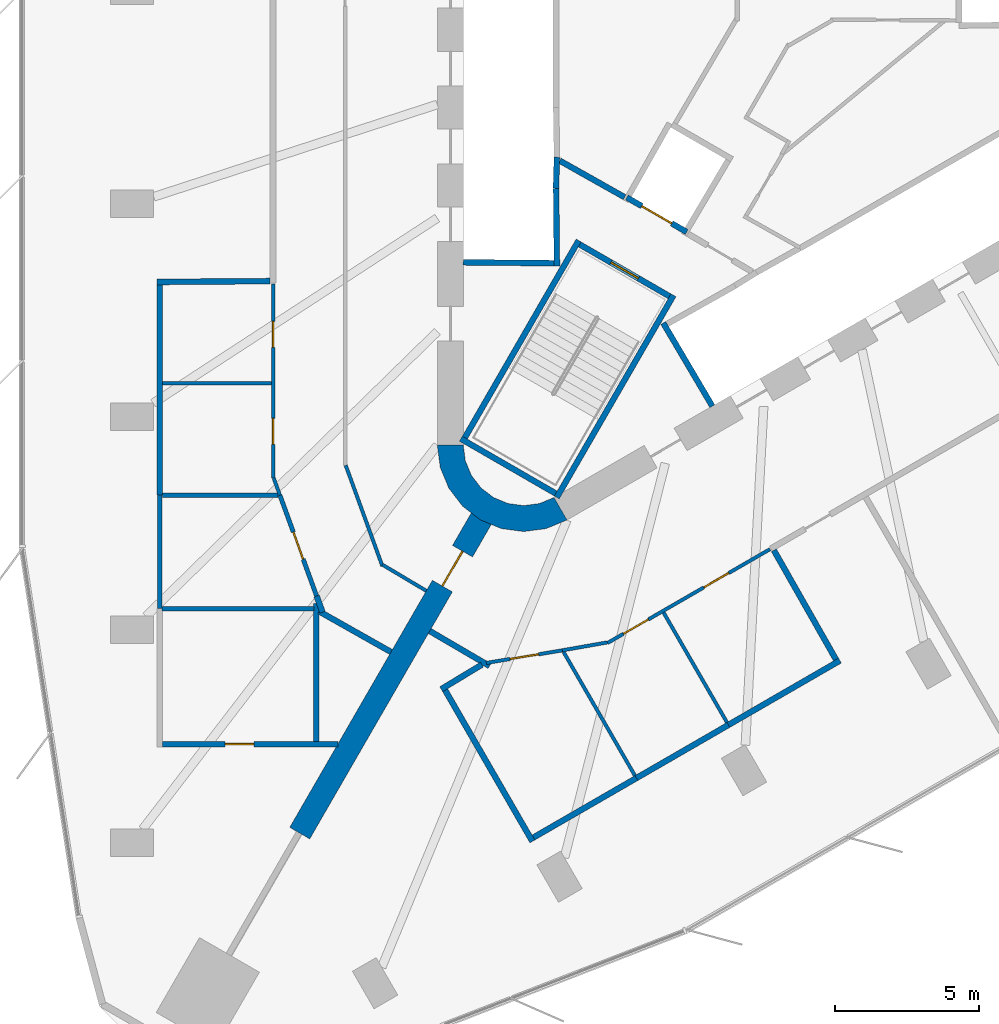
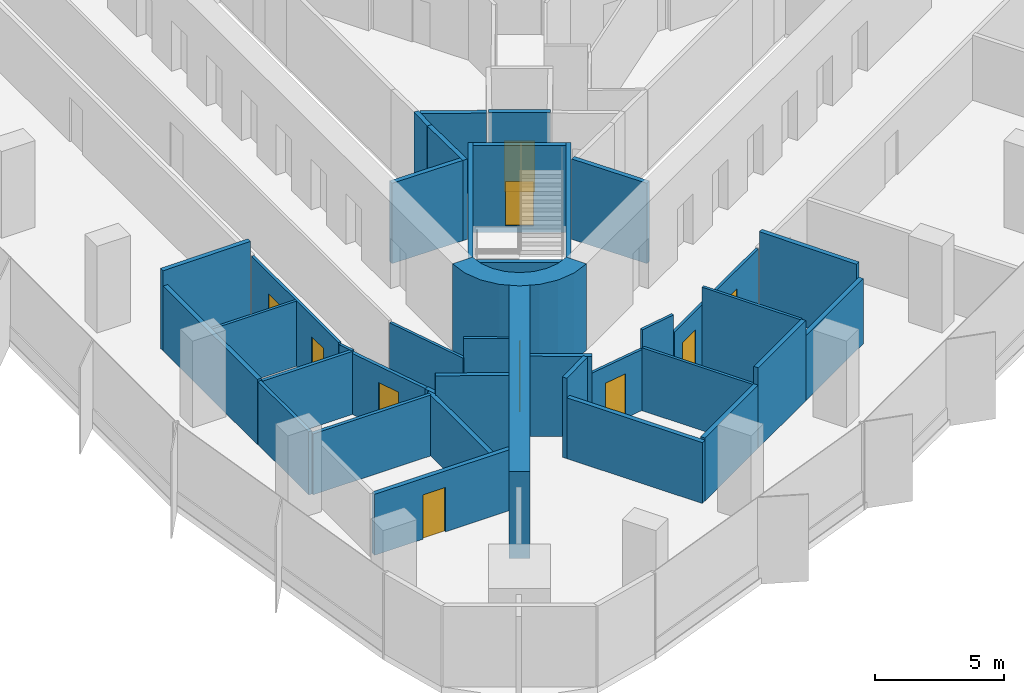
# One storey, part 9 of 15: 39 walls, 10 doors, 10 openings.
"""IFC4 building model written with IfcOpenShell, lengths in metres."""

from ifc_helpers import new_model, si_unit, direction, frame, frame_2d, origin, place, context, subcontext, project, spatial, polyline, rectangle, outline, extrude, material, layer, layer_set, type_object, element, fill, save


model = new_model("IFC4")

# Units and contexts
model_context = context("Model", 3, precision=1e-05, world=origin(), true_north=direction((0.0, 1.0)))
body_context = subcontext(model_context, "Body", "Model", "MODEL_VIEW")
ifc_project = project(units=[si_unit("LENGTHUNIT", "METRE"), si_unit("AREAUNIT", "SQUARE_METRE"), si_unit("VOLUMEUNIT", "CUBIC_METRE"), si_unit("PLANEANGLEUNIT", "RADIAN"), si_unit("MASSUNIT", "GRAM", prefix="KILO")], contexts=[model_context])

# Site, building, storey
site_placement = place(None, origin())
site = spatial("IfcSite", under=ifc_project, at=site_placement, CompositionType="ELEMENT")
building_placement = place(site_placement, origin())
building = spatial("IfcBuilding", under=site, at=building_placement, Name="Tanit Gate Tower", CompositionType="ELEMENT")
storey_placement = place(building_placement, frame((0.0, 0.0, 139.800048828125)))
storey = spatial("IfcBuildingStorey", under=building, at=storey_placement, Name="L30", CompositionType="ELEMENT", Elevation=139.800048828125)

# Wall, opening, door
ifc_material_1 = material(Name="Concrete C60/75", Category="concrete")
ifc_layer_1 = layer(ifc_material_1, 0.800048828125)
ifc_layer_set_1 = layer_set([ifc_layer_1], Name="BUTTRESS FIN 800 C60/75")
wall_type_1 = type_object("IfcWallType", Name="BUTTRESS FIN 800 C60/75", PredefinedType="SHEAR", material=ifc_layer_set_1)
wall_1_placement = place(storey_placement, frame((-10.574951171875, -18.31640625, 0.0), z_axis=(0.0, 0.0, 1.0), x_axis=(-0.500005394759, -0.866022289097, 0.0)))
wall_1 = element("IfcWall", 1, at=wall_1_placement, inside=storey, type_object=wall_type_1, Name="BUTTRESS FIN", PredefinedType="SHEAR", context=body_context, shape_type="SweptSolid", body=[
    extrude(rectangle(XDim=12.597900390625, YDim=0.800048828125, at=frame_2d((6.298828125, 0.0))), origin(), (0.0, 0.0, 1.0), 4.099853515625),
])
opening_1_placement = place(wall_1_placement, frame((1.300048828125, 0.0, 0.0)))
opening_1 = element("IfcOpeningElement", 2, at=opening_1_placement, cuts=wall_1, Name="Opening P14-S07-F-SW-1", PredefinedType="OPENING", context=body_context, shape_type="SweptSolid", body=[
    extrude(rectangle(XDim=1.39990234375, YDim=2.39990234375, at=frame_2d((0.699951171875, 1.199951171875))), frame((0.0, 0.41015625, 0.0), z_axis=(0.0, -1.0, 0.0), x_axis=(1.0, 0.0, 0.0)), (0.0, 0.0, 1.0), 0.820068359375),
])
ifc_material_2 = material(Name="Timber door leaf", Category="wood")
door_type_1 = type_object("IfcDoorType", Name="INT-DOOR-FIN-PAIR-1400", OperationType="NOTDEFINED", PredefinedType="NOTDEFINED", material=ifc_material_2)
door_1_placement = place(opening_1_placement, origin())
door_1 = element("IfcDoor", 3, at=door_1_placement, inside=storey, type_object=door_type_1, Name="Door P14-S07-F-SW-1", OperationType="DOUBLE_DOOR_SINGLE_SWING", OverallHeight=2.39990234375, OverallWidth=1.39990234375, PredefinedType="NOTDEFINED", context=body_context, shape_type="SweptSolid", body=[
    extrude(rectangle(XDim=1.39990234375, YDim=2.39990234375, at=frame_2d((0.699951171875, 1.199951171875))), frame((0.0, 0.02490234375, 0.0), z_axis=(0.0, -1.0, 0.0), x_axis=(1.0, 0.0, 0.0)), (0.0, 0.0, 1.0), 0.050048828125),
])
fill(opening_1, door_1)

# Walls
ifc_material_3 = material(Name="Concrete C60/75", Category="concrete")
ifc_layer_2 = layer(ifc_material_3, 0.89990234375)
ifc_layer_set_2 = layer_set([ifc_layer_2], Name="CORE WALL 900 C60/75")
wall_type_2 = type_object("IfcWallType", Name="CORE WALL 900 C60/75", PredefinedType="SHEAR", material=ifc_layer_set_2)
wall_2_placement = place(storey_placement, origin())
element("IfcWall", 4, at=wall_2_placement, inside=storey, type_object=wall_type_2, Name="CORE WALL CORNER", PredefinedType="SHEAR", context=body_context, shape_type="SweptSolid", body=[
    extrude(outline(polyline([(-12.10009765625, -15.76171875), (-11.997802734375, -16.5380859375), (-11.697998046875, -17.26171875), (-11.22119140625, -17.883056640625), (-10.60009765625, -18.359619140625), (-9.87646484375, -18.659423828125), (-9.10009765625, -18.76171875), (-8.323486328125, -18.659423828125), (-7.60009765625, -18.359619140625), (-8.050048828125, -17.580322265625), (-8.556396484375, -17.7900390625), (-9.10009765625, -17.86181640625), (-9.6435546875, -17.7900390625), (-10.14990234375, -17.580322265625), (-10.5849609375, -17.24658203125), (-10.918701171875, -16.811767578125), (-11.12841796875, -16.30517578125), (-11.199951171875, -15.76171875), (-12.10009765625, -15.76171875)])), origin(), (0.0, 0.0, 1.0), 4.099853515625),
])
ifc_material_4 = material(Name="Fire-rated gypsum board partition")
ifc_layer_3 = layer(ifc_material_4, 0.199951171875)
ifc_layer_set_3 = layer_set([ifc_layer_3], Name="INT-WALL-COMPARTMENT")
wall_type_3 = type_object("IfcWallType", Name="INT-WALL-COMPARTMENT", PredefinedType="PARTITIONING", material=ifc_layer_set_3)
wall_3_placement = place(storey_placement, frame((-7.84912109375, -5.893798828125, 0.0), z_axis=(0.0, 0.0, 1.0), x_axis=(0.871340486379, -0.490678873396, 0.0)))
element("IfcWall", 5, at=wall_3_placement, inside=storey, type_object=wall_type_3, Name="Wall Compartment W063", PredefinedType="PARTITIONING", context=body_context, shape_type="SweptSolid", body=[
    extrude(rectangle(XDim=2.580810546875, YDim=0.199951171875, at=frame_2d((1.29052734375, 0.0))), origin(), (0.0, 0.0, 1.0), 3.800048828125),
])
wall_4_placement = place(storey_placement, frame((-16.199951171875, -21.532470703125, 0.0), z_axis=(0.0, 0.0, 1.0), x_axis=(0.870802525435, -0.491632954241, 0.0)))
element("IfcWall", 6, at=wall_4_placement, inside=storey, type_object=wall_type_3, Name="Wall Compartment W094", PredefinedType="PARTITIONING", context=body_context, shape_type="SweptSolid", body=[
    extrude(rectangle(XDim=2.86328125, YDim=0.199951171875, at=frame_2d((1.431640625, 0.0))), origin(), (0.0, 0.0, 1.0), 3.800048828125),
])
wall_5_placement = place(storey_placement, frame((-16.28759765625, -21.00146484375, 0.0), z_axis=(0.0, 0.0, 1.0), x_axis=(0.342137351889, -0.939649952079, 0.0)))
element("IfcWall", 7, at=wall_5_placement, inside=storey, type_object=wall_type_3, Name="Wall Compartment W095", PredefinedType="PARTITIONING", context=body_context, shape_type="SweptSolid", body=[
    extrude(rectangle(XDim=0.596435546875, YDim=0.199951171875, at=frame_2d((0.29833984375, 0.0))), origin(), (0.0, 0.0, 1.0), 2.8798828125),
])
wall_6_placement = place(storey_placement, frame((-12.36279296875, -22.213134765625, 0.0), z_axis=(0.0, 0.0, 1.0), x_axis=(0.863185097125, -0.504887599472, 0.0)))
element("IfcWall", 8, at=wall_6_placement, inside=storey, type_object=wall_type_3, Name="Wall Compartment W109", PredefinedType="PARTITIONING", context=body_context, shape_type="SweptSolid", body=[
    extrude(rectangle(XDim=2.4033203125, YDim=0.199951171875, at=frame_2d((1.20166015625, 0.0))), origin(), (0.0, 0.0, 1.0), 3.800048828125),
])
wall_7_placement = place(storey_placement, frame((-21.830078125, -10.100830078125, 0.0), z_axis=(0.0, 0.0, 1.0), x_axis=(0.999970811124, 0.007640477685, 0.0)))
element("IfcWall", 9, at=wall_7_placement, inside=storey, type_object=wall_type_3, Name="Wall Compartment W119", PredefinedType="PARTITIONING", context=body_context, shape_type="SweptSolid", body=[
    extrude(rectangle(XDim=3.93017578125, YDim=0.199951171875, at=frame_2d((1.965087890625, 0.0))), origin(), (0.0, 0.0, 1.0), 3.800048828125),
])
wall_8_placement = place(storey_placement, frame((-21.72998046875, -17.491455078125, 0.0), z_axis=(0.0, 0.0, 1.0), x_axis=(0.0, 1.0, 0.0)))
element("IfcWall", 10, at=wall_8_placement, inside=storey, type_object=wall_type_3, Name="Wall Compartment W121", PredefinedType="PARTITIONING", context=body_context, shape_type="SweptSolid", body=[
    extrude(rectangle(XDim=7.29150390625, YDim=0.199951171875, at=frame_2d((3.645751953125, 0.0))), origin(), (0.0, 0.0, 1.0), 3.079833984375),
])

# Wall, opening, door
wall_9_placement = place(storey_placement, frame((-21.6298828125, -26.139892578125, 0.0), z_axis=(0.0, 0.0, 1.0), x_axis=(1.0, 0.0, 0.0)))
wall_9 = element("IfcWall", 11, at=wall_9_placement, inside=storey, type_object=wall_type_3, Name="Wall Compartment W125", PredefinedType="PARTITIONING", context=body_context, shape_type="SweptSolid", body=[
    extrude(rectangle(XDim=6.076171875, YDim=0.199951171875, at=frame_2d((3.0380859375, 0.0))), origin(), (0.0, 0.0, 1.0), 2.8798828125),
])
opening_2_placement = place(wall_9_placement, frame((2.1650390625, 0.0, 0.0)))
opening_2 = element("IfcOpeningElement", 12, at=opening_2_placement, cuts=wall_9, Name="Opening F10-S07-19", PredefinedType="OPENING", context=body_context, shape_type="SweptSolid", body=[
    extrude(rectangle(XDim=1.0, YDim=2.10009765625, at=frame_2d((0.5, 1.050048828125))), frame((0.0, 0.10986328125, 0.0), z_axis=(0.0, -1.0, 0.0), x_axis=(1.0, 0.0, 0.0)), (0.0, 0.0, 1.0), 0.219970703125),
])
ifc_material_5 = material(Name="Fire-rated steel door leaf", Category="steel")
door_type_2 = type_object("IfcDoorType", Name="INT-DOOR-FIRE-1000", OperationType="NOTDEFINED", PredefinedType="USERDEFINED", material=ifc_material_5)
door_2_placement = place(opening_2_placement, origin())
door_2 = element("IfcDoor", 13, at=door_2_placement, inside=storey, type_object=door_type_2, Name="Door F10-S07-19", ObjectType="FIRE DOOR", OperationType="SINGLE_SWING_RIGHT", OverallHeight=2.10009765625, OverallWidth=1.0, PredefinedType="USERDEFINED", context=body_context, shape_type="SweptSolid", body=[
    extrude(rectangle(XDim=1.0, YDim=2.10009765625, at=frame_2d((0.5, 1.050048828125))), frame((0.0, 0.02490234375, 0.0), z_axis=(0.0, -1.0, 0.0), x_axis=(1.0, 0.0, 0.0)), (0.0, 0.0, 1.0), 0.050048828125),
])
fill(opening_2, door_2)

# Walls
wall_10_placement = place(storey_placement, frame((-16.300048828125, -26.0400390625, 0.0), z_axis=(0.0, 0.0, 1.0), x_axis=(0.0, 1.0, 0.0)))
element("IfcWall", 14, at=wall_10_placement, inside=storey, type_object=wall_type_3, Name="Wall Compartment W126", PredefinedType="PARTITIONING", context=body_context, shape_type="SweptSolid", body=[
    extrude(rectangle(XDim=4.7802734375, YDim=0.199951171875, at=frame_2d((2.39013671875, 0.0))), origin(), (0.0, 0.0, 1.0), 2.8798828125),
])
wall_11_placement = place(storey_placement, frame((1.86962890625, -23.238525390625, 0.0), z_axis=(0.0, 0.0, 1.0), x_axis=(-0.866020802127, -0.50000797022, 0.0)))
element("IfcWall", 15, at=wall_11_placement, inside=storey, type_object=wall_type_3, Name="Wall Compartment W131", PredefinedType="PARTITIONING", context=body_context, shape_type="SweptSolid", body=[
    extrude(rectangle(XDim=4.4658203125, YDim=0.199951171875, at=frame_2d((2.23291015625, 0.0))), origin(), (0.0, 0.0, 1.0), 3.079833984375),
])
wall_12_placement = place(storey_placement, frame((-1.997802734375, -25.471435546875, 0.0), z_axis=(0.0, 0.0, 1.0), x_axis=(-0.866019184983, -0.500010771126, 0.0)))
element("IfcWall", 16, at=wall_12_placement, inside=storey, type_object=wall_type_3, Name="Wall Compartment W133", PredefinedType="PARTITIONING", context=body_context, shape_type="SweptSolid", body=[
    extrude(rectangle(XDim=3.689453125, YDim=0.199951171875, at=frame_2d((1.8447265625, 0.0))), origin(), (0.0, 0.0, 1.0), 3.800048828125),
])
wall_13_placement = place(storey_placement, frame((-5.19287109375, -27.316162109375, 0.0), z_axis=(0.0, 0.0, 1.0), x_axis=(-0.866040610509, -0.499973660256, 0.0)))
element("IfcWall", 17, at=wall_13_placement, inside=storey, type_object=wall_type_3, Name="Wall Compartment W136", PredefinedType="PARTITIONING", context=body_context, shape_type="SweptSolid", body=[
    extrude(rectangle(XDim=4.122314453125, YDim=0.199951171875, at=frame_2d((2.06103515625, 0.0))), origin(), (0.0, 0.0, 1.0), 2.97998046875),
])
wall_14_placement = place(storey_placement, frame((1.733642578125, -23.20166015625, 0.0), z_axis=(0.0, 0.0, 1.0), x_axis=(-0.494262399959, 0.869312763041, 0.0)))
element("IfcWall", 18, at=wall_14_placement, inside=storey, type_object=wall_type_3, Name="Wall Compartment W132", PredefinedType="PARTITIONING", context=body_context, shape_type="SweptSolid", body=[
    extrude(rectangle(XDim=4.360107421875, YDim=0.199951171875, at=frame_2d((2.18017578125, 0.0))), origin(), (0.0, 0.0, 1.0), 3.800048828125),
])
wall_15_placement = place(storey_placement, frame((-10.552734375, -23.38037109375, 0.0), z_axis=(0.0, 0.0, 1.0), x_axis=(-0.856707917583, -0.515801845625, 0.0)))
element("IfcWall", 19, at=wall_15_placement, inside=storey, type_object=wall_type_3, Name="Wall Compartment W134", PredefinedType="PARTITIONING", context=body_context, shape_type="SweptSolid", body=[
    extrude(rectangle(XDim=1.648681640625, YDim=0.199951171875, at=frame_2d((0.82421875, 0.0))), origin(), (0.0, 0.0, 1.0), 3.800048828125),
])
wall_16_placement = place(storey_placement, frame((-11.82958984375, -24.265625, 0.0), z_axis=(0.0, 0.0, 1.0), x_axis=(0.499990973765, -0.866030615021, 0.0)))
element("IfcWall", 20, at=wall_16_placement, inside=storey, type_object=wall_type_3, Name="Wall Compartment W135", PredefinedType="PARTITIONING", context=body_context, shape_type="SweptSolid", body=[
    extrude(rectangle(XDim=6.06005859375, YDim=0.199951171875, at=frame_2d((3.030029296875, 0.0))), origin(), (0.0, 0.0, 1.0), 2.8798828125),
])
ifc_material_6 = material(Name="Gypsum board partition")
ifc_layer_4 = layer(ifc_material_6, 0.1201171875)
ifc_layer_set_4 = layer_set([ifc_layer_4], Name="INT-WALL-PARTITION")
wall_type_4 = type_object("IfcWallType", Name="INT-WALL-PARTITION", PredefinedType="PARTITIONING", material=ifc_layer_set_4)
wall_17_placement = place(storey_placement, frame((-15.279541015625, -16.461669921875, 0.0), z_axis=(0.0, 0.0, 1.0), x_axis=(0.34206888523, -0.939674878752, 0.0)))
element("IfcWall", 21, at=wall_17_placement, inside=storey, type_object=wall_type_4, Name="Wall Partition W089", PredefinedType="PARTITIONING", context=body_context, shape_type="SweptSolid", body=[
    extrude(rectangle(XDim=3.72998046875, YDim=0.1201171875, at=frame_2d((1.864990234375, 0.0))), origin(), (0.0, 0.0, 1.0), 2.8798828125),
])
wall_18_placement = place(storey_placement, frame((-14.005126953125, -19.91162109375, 0.0), z_axis=(0.0, 0.0, 1.0), x_axis=(0.859128591272, -0.511759771435, 0.0)))
element("IfcWall", 22, at=wall_18_placement, inside=storey, type_object=wall_type_4, Name="Wall Partition W090", PredefinedType="PARTITIONING", context=body_context, shape_type="SweptSolid", body=[
    extrude(rectangle(XDim=1.773193359375, YDim=0.1201171875, at=frame_2d((0.88671875, 0.0))), origin(), (0.0, 0.0, 1.0), 3.800048828125),
])

# Wall, openings, doors
wall_19_placement = place(storey_placement, frame((-17.800048828125, -10.169921875, 0.0), z_axis=(0.0, 0.0, 1.0), x_axis=(0.0, -1.0, 0.0)))
wall_19 = element("IfcWall", 23, at=wall_19_placement, inside=storey, type_object=wall_type_4, Name="Wall Partition W096", PredefinedType="PARTITIONING", context=body_context, shape_type="SweptSolid", body=[
    extrude(rectangle(XDim=6.736083984375, YDim=0.1201171875, at=frame_2d((3.3681640625, 0.0))), origin(), (0.0, 0.0, 1.0), 3.079833984375),
])
opening_3_placement = place(wall_19_placement, frame((1.299560546875, 0.0, 0.0)))
opening_3 = element("IfcOpeningElement", 24, at=opening_3_placement, cuts=wall_19, Name="Opening D09-S07-16", PredefinedType="OPENING", context=body_context, shape_type="SweptSolid", body=[
    extrude(rectangle(XDim=0.89990234375, YDim=2.10009765625, at=frame_2d((0.449951171875, 1.050048828125))), frame((0.0, 0.070068359375, 0.0), z_axis=(0.0, -1.0, 0.0), x_axis=(1.0, 0.0, 0.0)), (0.0, 0.0, 1.0), 0.14013671875),
])
opening_4_placement = place(wall_19_placement, frame((4.66748046875, 0.0, 0.0)))
opening_4 = element("IfcOpeningElement", 25, at=opening_4_placement, cuts=wall_19, Name="Opening D09-S07-17", PredefinedType="OPENING", context=body_context, shape_type="SweptSolid", body=[
    extrude(rectangle(XDim=0.89990234375, YDim=2.10009765625, at=frame_2d((0.449951171875, 1.050048828125))), frame((0.0, 0.070068359375, 0.0), z_axis=(0.0, -1.0, 0.0), x_axis=(1.0, 0.0, 0.0)), (0.0, 0.0, 1.0), 0.14013671875),
])
ifc_material_7 = material(Name="Timber door leaf", Category="wood")
door_type_3 = type_object("IfcDoorType", Name="INT-DOOR-SINGLE-900", OperationType="NOTDEFINED", PredefinedType="NOTDEFINED", material=ifc_material_7)
door_3_placement = place(opening_3_placement, origin())
door_3 = element("IfcDoor", 26, at=door_3_placement, inside=storey, type_object=door_type_3, Name="Door D09-S07-16", OperationType="SINGLE_SWING_LEFT", OverallHeight=2.10009765625, OverallWidth=0.89990234375, PredefinedType="NOTDEFINED", context=body_context, shape_type="SweptSolid", body=[
    extrude(rectangle(XDim=0.89990234375, YDim=2.10009765625, at=frame_2d((0.449951171875, 1.050048828125))), frame((0.0, 0.02490234375, 0.0), z_axis=(0.0, -1.0, 0.0), x_axis=(1.0, 0.0, 0.0)), (0.0, 0.0, 1.0), 0.050048828125),
])
fill(opening_3, door_3)
door_4_placement = place(opening_4_placement, origin())
door_4 = element("IfcDoor", 27, at=door_4_placement, inside=storey, type_object=door_type_3, Name="Door D09-S07-17", OperationType="SINGLE_SWING_LEFT", OverallHeight=2.10009765625, OverallWidth=0.89990234375, PredefinedType="NOTDEFINED", context=body_context, shape_type="SweptSolid", body=[
    extrude(rectangle(XDim=0.89990234375, YDim=2.10009765625, at=frame_2d((0.449951171875, 1.050048828125))), frame((0.0, 0.02490234375, 0.0), z_axis=(0.0, -1.0, 0.0), x_axis=(1.0, 0.0, 0.0)), (0.0, 0.0, 1.0), 0.050048828125),
])
fill(opening_4, door_4)

# Wall
wall_20_placement = place(storey_placement, frame((-17.779541015625, -16.90234375, 0.0), z_axis=(0.0, 0.0, 1.0), x_axis=(0.341988220281, -0.93970423921, 0.0)))
element("IfcWall", 28, at=wall_20_placement, inside=storey, type_object=wall_type_4, Name="Wall Partition W097", PredefinedType="PARTITIONING", context=body_context, shape_type="SweptSolid", body=[
    extrude(rectangle(XDim=0.6396484375, YDim=0.1201171875, at=frame_2d((0.31982421875, 0.0))), origin(), (0.0, 0.0, 1.0), 2.97998046875),
])

# Wall, openings, doors
wall_21_placement = place(storey_placement, frame((-6.192626953125, -22.6279296875, 0.0), z_axis=(0.0, 0.0, 1.0), x_axis=(0.866031884678, 0.499988774596, 0.0)))
wall_21 = element("IfcWall", 29, at=wall_21_placement, inside=storey, type_object=wall_type_4, Name="Wall Partition W112", PredefinedType="PARTITIONING", context=body_context, shape_type="SweptSolid", body=[
    extrude(rectangle(XDim=6.507080078125, YDim=0.1201171875, at=frame_2d((3.25341796875, 0.0))), origin(), (0.0, 0.0, 1.0), 2.97998046875),
])
opening_5_placement = place(wall_21_placement, frame((3.85888671875, 0.0, 0.0)))
opening_5 = element("IfcOpeningElement", 30, at=opening_5_placement, cuts=wall_21, Name="Opening D10-S07-20", PredefinedType="OPENING", context=body_context, shape_type="SweptSolid", body=[
    extrude(rectangle(XDim=1.0, YDim=2.10009765625, at=frame_2d((0.5, 1.050048828125))), frame((0.0, 0.070068359375, 0.0), z_axis=(0.0, -1.0, 0.0), x_axis=(1.0, 0.0, 0.0)), (0.0, 0.0, 1.0), 0.14013671875),
])
opening_6_placement = place(wall_21_placement, frame((0.635498046875, 0.0, 0.0)))
opening_6 = element("IfcOpeningElement", 31, at=opening_6_placement, cuts=wall_21, Name="Opening D10-S07-21", PredefinedType="OPENING", context=body_context, shape_type="SweptSolid", body=[
    extrude(rectangle(XDim=1.0, YDim=2.10009765625, at=frame_2d((0.5, 1.050048828125))), frame((0.0, 0.070068359375, 0.0), z_axis=(0.0, -1.0, 0.0), x_axis=(1.0, 0.0, 0.0)), (0.0, 0.0, 1.0), 0.14013671875),
])
ifc_material_8 = material(Name="Timber door leaf", Category="wood")
door_type_4 = type_object("IfcDoorType", Name="INT-DOOR-SINGLE-1000", OperationType="NOTDEFINED", PredefinedType="NOTDEFINED", material=ifc_material_8)
door_5_placement = place(opening_5_placement, origin())
door_5 = element("IfcDoor", 32, at=door_5_placement, inside=storey, type_object=door_type_4, Name="Door D10-S07-20", OperationType="SINGLE_SWING_RIGHT", OverallHeight=2.10009765625, OverallWidth=1.0, PredefinedType="NOTDEFINED", context=body_context, shape_type="SweptSolid", body=[
    extrude(rectangle(XDim=1.0, YDim=2.10009765625, at=frame_2d((0.5, 1.050048828125))), frame((0.0, 0.02490234375, 0.0), z_axis=(0.0, -1.0, 0.0), x_axis=(1.0, 0.0, 0.0)), (0.0, 0.0, 1.0), 0.050048828125),
])
fill(opening_5, door_5)
door_6_placement = place(opening_6_placement, origin())
door_6 = element("IfcDoor", 33, at=door_6_placement, inside=storey, type_object=door_type_4, Name="Door D10-S07-21", OperationType="SINGLE_SWING_LEFT", OverallHeight=2.10009765625, OverallWidth=1.0, PredefinedType="NOTDEFINED", context=body_context, shape_type="SweptSolid", body=[
    extrude(rectangle(XDim=1.0, YDim=2.10009765625, at=frame_2d((0.5, 1.050048828125))), frame((0.0, 0.02490234375, 0.0), z_axis=(0.0, -1.0, 0.0), x_axis=(1.0, 0.0, 0.0)), (0.0, 0.0, 1.0), 0.050048828125),
])
fill(opening_6, door_6)

# Wall
wall_22_placement = place(storey_placement, frame((-7.762939453125, -22.8837890625, 0.0), z_axis=(0.0, 0.0, 1.0), x_axis=(0.984808322643, 0.173644947097, 0.0)))
element("IfcWall", 34, at=wall_22_placement, inside=storey, type_object=wall_type_4, Name="Wall Partition W113", PredefinedType="PARTITIONING", context=body_context, shape_type="SweptSolid", body=[
    extrude(rectangle(XDim=1.58740234375, YDim=0.1201171875, at=frame_2d((0.793701171875, 0.0))), origin(), (0.0, 0.0, 1.0), 3.800048828125),
])

# Wall, opening, door
wall_23_placement = place(storey_placement, frame((-10.3984375, -23.3212890625, 0.0), z_axis=(0.0, 0.0, 1.0), x_axis=(0.986499922069, 0.16376172861, 0.0)))
wall_23 = element("IfcWall", 35, at=wall_23_placement, inside=storey, type_object=wall_type_4, Name="Wall Partition W114", PredefinedType="PARTITIONING", context=body_context, shape_type="SweptSolid", body=[
    extrude(rectangle(XDim=2.671630859375, YDim=0.1201171875, at=frame_2d((1.3359375, 0.0))), origin(), (0.0, 0.0, 1.0), 2.8798828125),
])
opening_7_placement = place(wall_23_placement, frame((0.835693359375, 0.0, 0.0)))
opening_7 = element("IfcOpeningElement", 36, at=opening_7_placement, cuts=wall_23, Name="Opening D10-S07-22", PredefinedType="OPENING", context=body_context, shape_type="SweptSolid", body=[
    extrude(rectangle(XDim=1.0, YDim=2.10009765625, at=frame_2d((0.5, 1.050048828125))), frame((0.0, 0.070068359375, 0.0), z_axis=(0.0, -1.0, 0.0), x_axis=(1.0, 0.0, 0.0)), (0.0, 0.0, 1.0), 0.14013671875),
])
door_7_placement = place(opening_7_placement, origin())
door_7 = element("IfcDoor", 37, at=door_7_placement, inside=storey, type_object=door_type_4, Name="Door D10-S07-22", OperationType="SINGLE_SWING_LEFT", OverallHeight=2.10009765625, OverallWidth=1.0, PredefinedType="NOTDEFINED", context=body_context, shape_type="SweptSolid", body=[
    extrude(rectangle(XDim=1.0, YDim=2.10009765625, at=frame_2d((0.5, 1.050048828125))), frame((0.0, 0.02490234375, 0.0), z_axis=(0.0, -1.0, 0.0), x_axis=(1.0, 0.0, 0.0)), (0.0, 0.0, 1.0), 0.050048828125),
])
fill(opening_7, door_7)

# Walls
wall_24_placement = place(storey_placement, frame((-17.860107421875, -13.60888671875, 0.0), z_axis=(0.0, 0.0, 1.0), x_axis=(-1.0, 0.0, 0.0)))
element("IfcWall", 38, at=wall_24_placement, inside=storey, type_object=wall_type_4, Name="Wall Partition W137", PredefinedType="PARTITIONING", context=body_context, shape_type="SweptSolid", body=[
    extrude(rectangle(XDim=3.769775390625, YDim=0.1201171875, at=frame_2d((1.884765625, 0.0))), origin(), (0.0, 0.0, 1.0), 3.079833984375),
])
wall_25_placement = place(storey_placement, frame((-4.247802734375, -21.57421875, 0.0), z_axis=(0.0, 0.0, 1.0), x_axis=(0.499988222896, -0.866032203192, 0.0)))
element("IfcWall", 39, at=wall_25_placement, inside=storey, type_object=wall_type_4, Name="Wall Partition W140", PredefinedType="PARTITIONING", context=body_context, shape_type="SweptSolid", body=[
    extrude(rectangle(XDim=4.39990234375, YDim=0.1201171875, at=frame_2d((2.199951171875, 0.0))), origin(), (0.0, 0.0, 1.0), 3.800048828125),
])
wall_26_placement = place(storey_placement, frame((-5.242919921875, -27.2294921875, 0.0), z_axis=(0.0, 0.0, 1.0), x_axis=(-0.500006734102, 0.866021515814, 0.0)))
element("IfcWall", 40, at=wall_26_placement, inside=storey, type_object=wall_type_4, Name="Wall Partition W141", PredefinedType="PARTITIONING", context=body_context, shape_type="SweptSolid", body=[
    extrude(rectangle(XDim=4.9560546875, YDim=0.1201171875, at=frame_2d((2.47802734375, 0.0))), origin(), (0.0, 0.0, 1.0), 2.97998046875),
])

# Wall, opening, door
ifc_material_9 = material(Name="Fire-rated gypsum board partition")
ifc_layer_5 = layer(ifc_material_9, 0.14990234375)
ifc_layer_set_5 = layer_set([ifc_layer_5], Name="INT-WALL-RISER")
wall_type_5 = type_object("IfcWallType", Name="INT-WALL-RISER", PredefinedType="PLUMBINGWALL", material=ifc_layer_set_5)
wall_27_placement = place(storey_placement, frame((-17.560791015625, -17.50341796875, 0.0), z_axis=(0.0, 0.0, 1.0), x_axis=(0.342022140343, -0.939691893929, 0.0)))
wall_27 = element("IfcWall", 41, at=wall_27_placement, inside=storey, type_object=wall_type_5, Name="Wall Riser W099", PredefinedType="PLUMBINGWALL", context=body_context, shape_type="SweptSolid", body=[
    extrude(rectangle(XDim=3.72265625, YDim=0.14990234375, at=frame_2d((1.861328125, 0.0))), origin(), (0.0, 0.0, 1.0), 2.8798828125),
])
opening_8_placement = place(wall_27_placement, frame((1.361083984375, 0.0, 0.0)))
opening_8 = element("IfcOpeningElement", 42, at=opening_8_placement, cuts=wall_27, Name="Opening F10-S07-18", PredefinedType="OPENING", context=body_context, shape_type="SweptSolid", body=[
    extrude(rectangle(XDim=1.0, YDim=2.10009765625, at=frame_2d((0.5, 1.050048828125))), frame((0.0, 0.0849609375, 0.0), z_axis=(0.0, -1.0, 0.0), x_axis=(1.0, 0.0, 0.0)), (0.0, 0.0, 1.0), 0.169921875),
])
door_8_placement = place(opening_8_placement, origin())
door_8 = element("IfcDoor", 43, at=door_8_placement, inside=storey, type_object=door_type_2, Name="Door F10-S07-18", ObjectType="FIRE DOOR", OperationType="SINGLE_SWING_LEFT", OverallHeight=2.10009765625, OverallWidth=1.0, PredefinedType="USERDEFINED", context=body_context, shape_type="SweptSolid", body=[
    extrude(rectangle(XDim=1.0, YDim=2.10009765625, at=frame_2d((0.5, 1.050048828125))), frame((0.0, 0.02490234375, 0.0), z_axis=(0.0, -1.0, 0.0), x_axis=(1.0, 0.0, 0.0)), (0.0, 0.0, 1.0), 0.050048828125),
])
fill(opening_8, door_8)

# Walls
wall_28_placement = place(storey_placement, frame((-21.72998046875, -21.431396484375, 0.0), z_axis=(0.0, 0.0, 1.0), x_axis=(0.0, 1.0, 0.0)))
element("IfcWall", 44, at=wall_28_placement, inside=storey, type_object=wall_type_5, Name="Wall Riser W122", PredefinedType="PLUMBINGWALL", context=body_context, shape_type="SweptSolid", body=[
    extrude(rectangle(XDim=3.93994140625, YDim=0.14990234375, at=frame_2d((1.969970703125, 0.0))), origin(), (0.0, 0.0, 1.0), 2.97998046875),
])
wall_29_placement = place(storey_placement, frame((-17.626220703125, -17.4990234375, 0.0), z_axis=(0.0, 0.0, 1.0), x_axis=(-1.0, 0.0, 0.0)))
element("IfcWall", 45, at=wall_29_placement, inside=storey, type_object=wall_type_5, Name="Wall Riser W138", PredefinedType="PLUMBINGWALL", context=body_context, shape_type="SweptSolid", body=[
    extrude(rectangle(XDim=4.003662109375, YDim=0.14990234375, at=frame_2d((2.001953125, 0.0))), origin(), (0.0, 0.0, 1.0), 2.97998046875),
])
wall_30_placement = place(storey_placement, frame((-16.375, -21.43896484375, 0.0), z_axis=(0.0, 0.0, 1.0), x_axis=(-1.0, 0.0, 0.0)))
element("IfcWall", 46, at=wall_30_placement, inside=storey, type_object=wall_type_5, Name="Wall Riser W139", PredefinedType="PLUMBINGWALL", context=body_context, shape_type="SweptSolid", body=[
    extrude(rectangle(XDim=5.280029296875, YDim=0.14990234375, at=frame_2d((2.64013671875, 0.0))), origin(), (0.0, 0.0, 1.0), 2.8798828125),
])
ifc_material_10 = material(Name="Gypsum shaft wall system")
ifc_layer_6 = layer(ifc_material_10, 0.199951171875)
ifc_layer_set_6 = layer_set([ifc_layer_6], Name="INT-WALL-SHAFT")
wall_type_6 = type_object("IfcWallType", Name="INT-WALL-SHAFT", PredefinedType="PLUMBINGWALL", material=ifc_layer_set_6)
wall_31_placement = place(storey_placement, frame((-7.949951171875, -5.7724609375, 0.0), z_axis=(0.0, 0.0, 1.0), x_axis=(-0.030803413295, -0.999525462272, 0.0)))
element("IfcWall", 47, at=wall_31_placement, inside=storey, type_object=wall_type_6, Name="Wall Shaft W009", PredefinedType="PLUMBINGWALL", context=body_context, shape_type="SweptSolid", body=[
    extrude(rectangle(XDim=1.077880859375, YDim=0.199951171875, at=frame_2d((0.5390625, 0.0))), origin(), (0.0, 0.0, 1.0), 3.800048828125),
])
wall_32_placement = place(storey_placement, frame((-7.97900390625, -6.85009765625, 0.0), z_axis=(0.0, 0.0, 1.0), x_axis=(0.011121475088, -0.999938154483, 0.0)))
element("IfcWall", 48, at=wall_32_placement, inside=storey, type_object=wall_type_6, Name="Wall Shaft W011", PredefinedType="PLUMBINGWALL", context=body_context, shape_type="SweptSolid", body=[
    extrude(rectangle(XDim=2.7001953125, YDim=0.199951171875, at=frame_2d((1.35009765625, 0.0))), origin(), (0.0, 0.0, 1.0), 3.800048828125),
])
wall_33_placement = place(storey_placement, frame((-8.050048828125, -9.448974609375, 0.0), z_axis=(0.0, 0.0, 1.0), x_axis=(-0.999957467379, 0.009222983926, 0.0)))
element("IfcWall", 49, at=wall_33_placement, inside=storey, type_object=wall_type_6, Name="Wall Shaft W012", PredefinedType="PLUMBINGWALL", context=body_context, shape_type="SweptSolid", body=[
    extrude(rectangle(XDim=3.150146484375, YDim=0.199951171875, at=frame_2d((1.5751953125, 0.0))), origin(), (0.0, 0.0, 1.0), 3.800048828125),
])
wall_34_placement = place(storey_placement, frame((-2.557861328125, -14.409423828125, 0.0), z_axis=(0.0, 0.0, 1.0), x_axis=(-0.507997497166, 0.861358544901, 0.0)))
element("IfcWall", 50, at=wall_34_placement, inside=storey, type_object=wall_type_6, Name="Wall Shaft W027", PredefinedType="PLUMBINGWALL", context=body_context, shape_type="SweptSolid", body=[
    extrude(rectangle(XDim=3.350341796875, YDim=0.199951171875, at=frame_2d((1.67529296875, 0.0))), origin(), (0.0, 0.0, 1.0), 3.800048828125),
])

# Wall, opening, door
wall_35_placement = place(storey_placement, frame((-3.44580078125, -8.3681640625, 0.0), z_axis=(0.0, 0.0, 1.0), x_axis=(-0.866024647952, 0.500001309137, 0.0)))
wall_35 = element("IfcWall", 51, at=wall_35_placement, inside=storey, type_object=wall_type_6, Name="Wall Shaft W053", PredefinedType="PLUMBINGWALL", context=body_context, shape_type="SweptSolid", body=[
    extrude(rectangle(XDim=2.39990234375, YDim=0.199951171875, at=frame_2d((1.199951171875, 0.0))), origin(), (0.0, 0.0, 1.0), 3.800048828125),
])
opening_9_placement = place(wall_35_placement, frame((0.60009765625, 0.0, 0.0)))
opening_9 = element("IfcOpeningElement", 52, at=opening_9_placement, cuts=wall_35, Name="Opening LDFL3-L30", PredefinedType="OPENING", context=body_context, shape_type="SweptSolid", body=[
    extrude(rectangle(XDim=1.199951171875, YDim=2.39990234375, at=frame_2d((0.60009765625, 1.199951171875))), frame((0.0, 0.10986328125, 0.0), z_axis=(0.0, -1.0, 0.0), x_axis=(1.0, 0.0, 0.0)), (0.0, 0.0, 1.0), 0.219970703125),
])
ifc_material_11 = material(Name="Stainless steel sliding door leaf", Category="steel")
door_type_5 = type_object("IfcDoorType", Name="INT-DOOR-LANDING-1200", OperationType="NOTDEFINED", PredefinedType="USERDEFINED", material=ifc_material_11)
door_9_placement = place(opening_9_placement, origin())
door_9 = element("IfcDoor", 53, at=door_9_placement, inside=storey, type_object=door_type_5, Name="Door LDFL3-L30", ObjectType="LANDING DOOR", OperationType="SLIDING_TO_LEFT", OverallHeight=2.39990234375, OverallWidth=1.199951171875, PredefinedType="USERDEFINED", context=body_context, shape_type="SweptSolid", body=[
    extrude(rectangle(XDim=1.199951171875, YDim=2.39990234375, at=frame_2d((0.60009765625, 1.199951171875))), frame((0.0, 0.02490234375, 0.0), z_axis=(0.0, -1.0, 0.0), x_axis=(1.0, 0.0, 0.0)), (0.0, 0.0, 1.0), 0.050048828125),
])
fill(opening_9, door_9)

# Walls
ifc_material_12 = material(Name="Concrete C40/50", Category="concrete")
ifc_layer_7 = layer(ifc_material_12, 0.199951171875)
ifc_layer_set_7 = layer_set([ifc_layer_7], Name="INT-WALL-STAIR")
wall_type_7 = type_object("IfcWallType", Name="INT-WALL-STAIR", PredefinedType="SHEAR", material=ifc_layer_set_7)
wall_36_placement = place(storey_placement, frame((-3.904541015625, -10.56298828125, -0.300048828125), z_axis=(0.0, 0.0, 1.0), x_axis=(-0.500012932018, -0.866017937352, 0.0)))
element("IfcWall", 54, at=wall_36_placement, inside=storey, type_object=wall_type_7, Name="Wall Stair W049", PredefinedType="SHEAR", context=body_context, shape_type="SweptSolid", body=[
    extrude(rectangle(XDim=8.099853515625, YDim=0.199951171875, at=frame_2d((4.0498046875, 0.0))), origin(), (0.0, 0.0, 1.0), 4.10009765625),
])
wall_37_placement = place(storey_placement, frame((-11.281982421875, -15.541015625, -0.300048828125), z_axis=(0.0, 0.0, 1.0), x_axis=(0.866000483506, -0.500043160704, 0.0)))
element("IfcWall", 55, at=wall_37_placement, inside=storey, type_object=wall_type_7, Name="Wall Stair W050", PredefinedType="SHEAR", context=body_context, shape_type="SweptSolid", body=[
    extrude(rectangle(XDim=3.800048828125, YDim=0.199951171875, at=frame_2d((1.89990234375, 0.0))), origin(), (0.0, 0.0, 1.0), 4.10009765625),
])
wall_38_placement = place(storey_placement, frame((-7.195556640625, -8.662841796875, -0.300048828125), z_axis=(0.0, 0.0, 1.0), x_axis=(-0.499997992926, -0.866026562566, 0.0)))
element("IfcWall", 56, at=wall_38_placement, inside=storey, type_object=wall_type_7, Name="Wall Stair W051", PredefinedType="SHEAR", context=body_context, shape_type="SweptSolid", body=[
    extrude(rectangle(XDim=7.89990234375, YDim=0.199951171875, at=frame_2d((3.949951171875, 0.0))), origin(), (0.0, 0.0, 1.0), 4.10009765625),
])

# Wall, opening, door
wall_39_placement = place(storey_placement, frame((-4.041259765625, -10.599365234375, -0.300048828125), z_axis=(0.0, 0.0, 1.0), x_axis=(-0.866047807691, 0.499961193289, 0.0)))
wall_39 = element("IfcWall", 57, at=wall_39_placement, inside=storey, type_object=wall_type_7, Name="Wall Stair W052", PredefinedType="SHEAR", context=body_context, shape_type="SweptSolid", body=[
    extrude(rectangle(XDim=3.599853515625, YDim=0.199951171875, at=frame_2d((1.7998046875, 0.0))), origin(), (0.0, 0.0, 1.0), 4.10009765625),
])
opening_10_placement = place(wall_39_placement, frame((1.25, 0.0, 0.300048828125)))
opening_10 = element("IfcOpeningElement", 58, at=opening_10_placement, cuts=wall_39, Name="Opening S11-S07-07", PredefinedType="OPENING", context=body_context, shape_type="SweptSolid", body=[
    extrude(rectangle(XDim=1.10009765625, YDim=2.10009765625, at=frame_2d((0.550048828125, 1.050048828125))), frame((0.0, 0.10986328125, 0.0), z_axis=(0.0, -1.0, 0.0), x_axis=(1.0, 0.0, 0.0)), (0.0, 0.0, 1.0), 0.219970703125),
])
ifc_material_13 = material(Name="Timber door leaf", Category="wood")
door_type_6 = type_object("IfcDoorType", Name="INT-DOOR-STAIR-1100", OperationType="NOTDEFINED", PredefinedType="USERDEFINED", material=ifc_material_13)
door_10_placement = place(opening_10_placement, origin())
door_10 = element("IfcDoor", 59, at=door_10_placement, inside=storey, type_object=door_type_6, Name="Door S11-S07-07", ObjectType="FIRE DOOR", OperationType="SINGLE_SWING_RIGHT", OverallHeight=2.10009765625, OverallWidth=1.10009765625, PredefinedType="USERDEFINED", context=body_context, shape_type="SweptSolid", body=[
    extrude(rectangle(XDim=1.10009765625, YDim=2.10009765625, at=frame_2d((0.550048828125, 1.050048828125))), frame((0.0, 0.02490234375, 0.0), z_axis=(0.0, -1.0, 0.0), x_axis=(1.0, 0.0, 0.0)), (0.0, 0.0, 1.0), 0.050048828125),
])
fill(opening_10, door_10)

save(model, "model.ifc")
